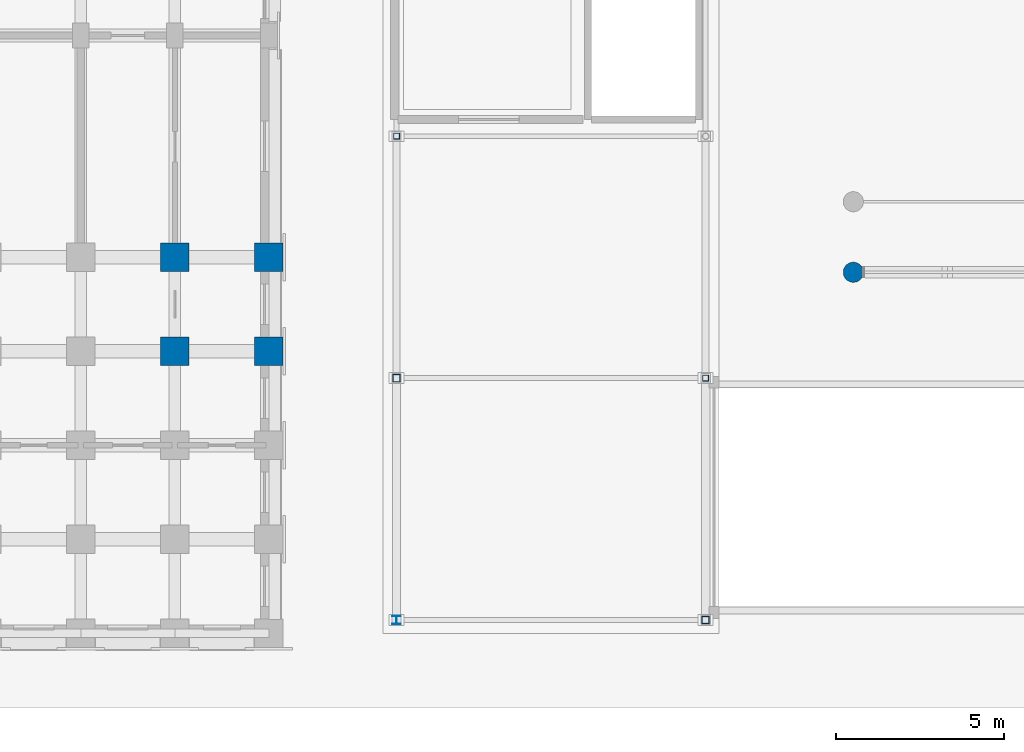
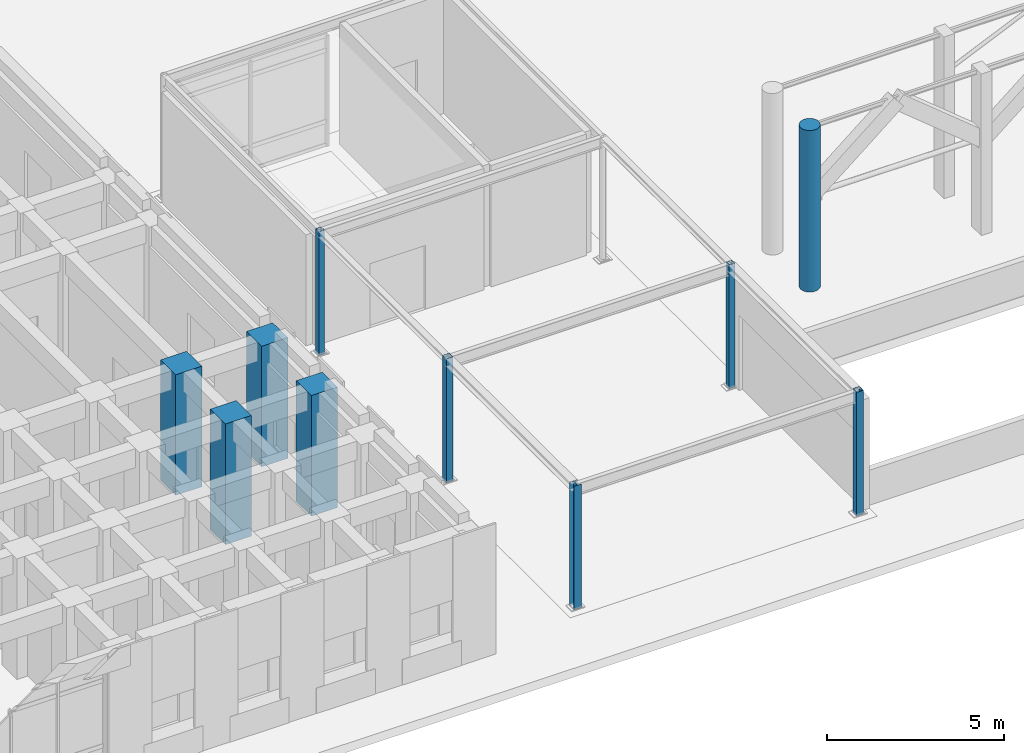
# One storey, part 2 of 135: 10 columns.
"""IFC4 building model written with IfcOpenShell, lengths in metres."""

from ifc_helpers import new_model, si_unit, direction, frame, origin, origin_2d, place, context, subcontext, project, spatial, rectangle, hollow_rectangle, circle, i_section, extrude, material, material_profile, profile_set, type_object, element, save


model = new_model("IFC4")

# Units and contexts
model_context = context("Model", 3, precision=1e-05, world=origin(), true_north=direction((0.0, 1.0)))
body_context = subcontext(model_context, "Body", "Model", "MODEL_VIEW")
ifc_project = project(units=[si_unit("LENGTHUNIT", "METRE"), si_unit("AREAUNIT", "SQUARE_METRE"), si_unit("VOLUMEUNIT", "CUBIC_METRE"), si_unit("PLANEANGLEUNIT", "RADIAN"), si_unit("MASSUNIT", "GRAM", prefix="KILO")], contexts=[model_context])

# Site, building, storey
site_placement = place(None, origin())
site = spatial("IfcSite", under=ifc_project, at=site_placement, CompositionType="ELEMENT")
building_placement = place(site_placement, origin())
building = spatial("IfcBuilding", under=site, at=building_placement, Name="Kiranvali Square Residences", CompositionType="ELEMENT")
storey_placement = place(building_placement, origin())
storey = spatial("IfcBuildingStorey", under=building, at=storey_placement, Name="L00", CompositionType="ELEMENT", Elevation=0.0)

# Columns
ifc_material_1 = material(Name="Concrete M50 (50 MPa)", Category="concrete")
ifc_material_profile_1 = material_profile(ifc_material_1, rectangle(XDim=0.85009765625, YDim=0.85009765625, at=origin_2d()), Name="RC 850x850")
ifc_profile_set_1 = profile_set([ifc_material_profile_1], Name="Concrete M50 (50 MPa)")
column_type_1 = type_object("IfcColumnType", Name="COL-M50-850", PredefinedType="COLUMN", material=ifc_profile_set_1)
for number, where, z_axis, x_axis, name in (
    (1, (67.800048828125, 13.39990234375, 0.0), (0.0, 0.0, 1.0), (1.0, 0.0, 0.0), "Block C L00 Arm 1 column U4-R3"),
    (2, (67.800048828125, 10.60009765625, 0.0), (0.0, 0.0, 1.0), (1.0, 0.0, 0.0), "Block C L00 Arm 1 column U4-R4"),
    (3, (70.60009765625, 13.39990234375, 0.0), (0.0, 0.0, 1.0), (1.0, 0.0, 0.0), "Block C L00 Arm 1 column U5-R3"),
    (4, (70.60009765625, 10.60009765625, 0.0), (0.0, 0.0, 1.0), (1.0, 0.0, 0.0), "Block C L00 Arm 1 column U5-R4"),
):
    element("IfcColumn", number, at=place(storey_placement, frame(where, z_axis=z_axis, x_axis=x_axis)), inside=storey, type_object=column_type_1, Name=name, PredefinedType="COLUMN", context=body_context, shape_type="SweptSolid", body=[
        extrude(rectangle(XDim=0.85009765625, YDim=0.85009765625, at=origin_2d()), origin(), (0.0, 0.0, 1.0), 4.14990234375),
    ])
ifc_material_2 = material(Name="Concrete M40 (40 MPa)", Category="concrete")
ifc_material_profile_2 = material_profile(ifc_material_2, circle(Radius=0.300048828125, at=origin_2d()), Name="RC-CIRC 600")
ifc_profile_set_2 = profile_set([ifc_material_profile_2], Name="Concrete M40 (40 MPa)")
column_type_2 = type_object("IfcColumnType", Name="PIL-M40-C600", PredefinedType="PILASTER", material=ifc_profile_set_2)
column_1_placement = place(storey_placement, frame((88.0, 12.949951171875, 0.0), z_axis=(0.0, 0.0, 1.0), x_axis=(1.0, 0.0, 0.0)))
element("IfcColumn", 5, at=column_1_placement, inside=storey, type_object=column_type_2, Name="Ottoman pointed-arch colonnade pilaster ARC-SQ-S-1", PredefinedType="PILASTER", context=body_context, shape_type="SweptSolid", body=[
    extrude(circle(Radius=0.300048828125, at=origin_2d()), origin(), (0.0, 0.0, 1.0), 5.56005859375),
])
ifc_material_3 = material(Name="Structural steel E350", Category="steel")
ifc_material_profile_3 = material_profile(ifc_material_3, i_section(OverallWidth=0.25, OverallDepth=0.25, WebThickness=0.0087890625, FlangeThickness=0.009765625, at=origin_2d()), Name="ISHB 250")
ifc_profile_set_3 = profile_set([ifc_material_profile_3], Name="Structural steel E350")
column_type_3 = type_object("IfcColumnType", Name="SCOL-ISHB250", PredefinedType="COLUMN", material=ifc_profile_set_3)
column_2_placement = place(storey_placement, frame((74.39990234375, 2.60009765625, 0.0), z_axis=(0.0, 0.0, 1.0), x_axis=(1.0, 0.0, 0.0)))
element("IfcColumn", 6, at=column_2_placement, inside=storey, type_object=column_type_3, Name="South Boulevard Ramp and Arcade Portal steel column 1.1", PredefinedType="COLUMN", context=body_context, shape_type="SweptSolid", body=[
    extrude(i_section(OverallWidth=0.25, OverallDepth=0.25, WebThickness=0.0087890625, FlangeThickness=0.009765625, at=origin_2d()), origin(), (0.0, 0.0, 1.0), 4.260009765625),
])
ifc_material_profile_4 = material_profile(ifc_material_3, hollow_rectangle(XDim=0.179931640625, YDim=0.179931640625, WallThickness=0.008056640625, at=origin_2d()), Name="SHS 180x180x8.0")
ifc_profile_set_4 = profile_set([ifc_material_profile_4], Name="Structural steel E350")
column_type_4 = type_object("IfcColumnType", Name="SCOL-SHS180", PredefinedType="COLUMN", material=ifc_profile_set_4)
for number, where, z_axis, x_axis, name in (
    (7, (83.60009765625, 9.800048828125, 0.0), (0.0, 0.0, 1.0), (1.0, 0.0, 0.0), "South Boulevard Ramp and Arcade Portal steel column 2.2"),
    (8, (74.39990234375, 17.0, 0.0), (0.0, 0.0, 1.0), (1.0, 0.0, 0.0), "South Boulevard Ramp and Arcade Portal steel column 3.1"),
):
    element("IfcColumn", number, at=place(storey_placement, frame(where, z_axis=z_axis, x_axis=x_axis)), inside=storey, type_object=column_type_4, Name=name, PredefinedType="COLUMN", context=body_context, shape_type="SweptSolid", body=[
        extrude(hollow_rectangle(XDim=0.179931640625, YDim=0.179931640625, WallThickness=0.008056640625, at=origin_2d()), origin(), (0.0, 0.0, 1.0), 4.260009765625),
    ])
ifc_material_profile_5 = material_profile(ifc_material_3, hollow_rectangle(XDim=0.219970703125, YDim=0.219970703125, WallThickness=0.008056640625, at=origin_2d()), Name="SHS 220x220x8.0")
ifc_profile_set_5 = profile_set([ifc_material_profile_5], Name="Structural steel E350")
column_type_5 = type_object("IfcColumnType", Name="SCOL-SHS220", PredefinedType="COLUMN", material=ifc_profile_set_5)
for number, where, z_axis, x_axis, name in (
    (9, (83.60009765625, 2.60009765625, 0.0), (0.0, 0.0, 1.0), (1.0, 0.0, 0.0), "South Boulevard Ramp and Arcade Portal steel column 1.2"),
    (10, (74.39990234375, 9.800048828125, 0.0), (0.0, 0.0, 1.0), (1.0, 0.0, 0.0), "South Boulevard Ramp and Arcade Portal steel column 2.1"),
):
    element("IfcColumn", number, at=place(storey_placement, frame(where, z_axis=z_axis, x_axis=x_axis)), inside=storey, type_object=column_type_5, Name=name, PredefinedType="COLUMN", context=body_context, shape_type="SweptSolid", body=[
        extrude(hollow_rectangle(XDim=0.219970703125, YDim=0.219970703125, WallThickness=0.008056640625, at=origin_2d()), origin(), (0.0, 0.0, 1.0), 4.260009765625),
    ])

save(model, "model.ifc")
